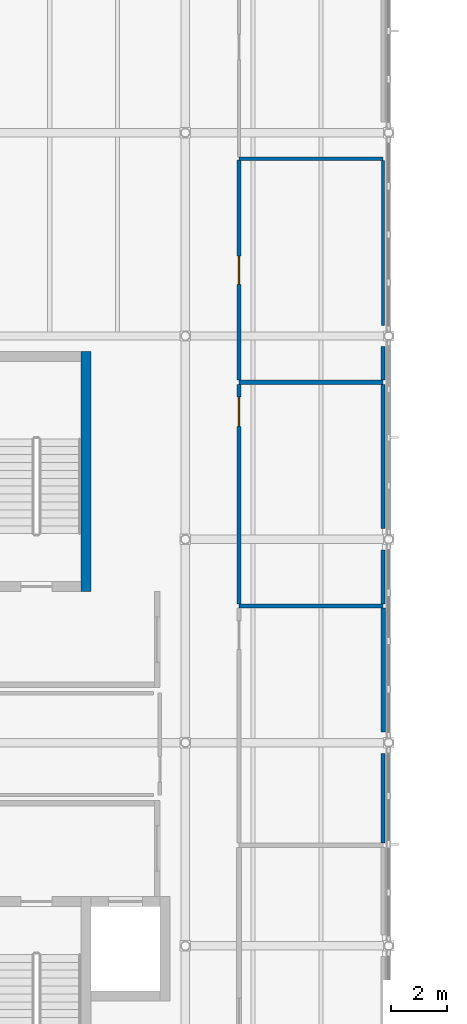
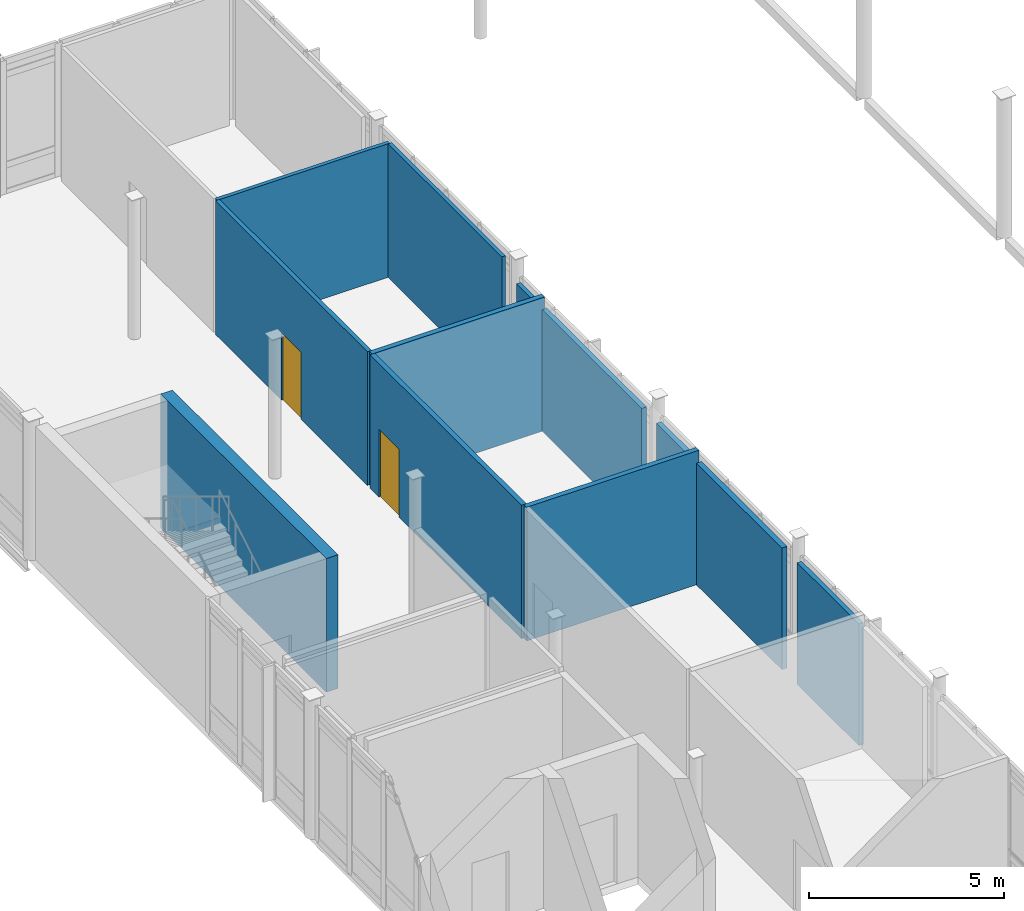
# One storey, part 58 of 76: 12 walls, 2 doors, 2 openings.
"""IFC4 building model written with IfcOpenShell, lengths in metres."""

from ifc_helpers import new_model, si_unit, direction, frame, frame_2d, origin, place, context, subcontext, project, spatial, rectangle, extrude, material, layer, layer_set, type_object, element, fill, save


model = new_model("IFC4")

# Units and contexts
model_context = context("Model", 3, precision=1e-05, world=origin(), true_north=direction((0.0, 1.0)))
body_context = subcontext(model_context, "Body", "Model", "MODEL_VIEW")
ifc_project = project(units=[si_unit("LENGTHUNIT", "METRE"), si_unit("AREAUNIT", "SQUARE_METRE"), si_unit("VOLUMEUNIT", "CUBIC_METRE"), si_unit("PLANEANGLEUNIT", "RADIAN"), si_unit("MASSUNIT", "GRAM", prefix="KILO")], contexts=[model_context])

# Site, building, storey
site_placement = place(None, origin())
site = spatial("IfcSite", under=ifc_project, at=site_placement, CompositionType="ELEMENT")
building_placement = place(site_placement, origin())
building = spatial("IfcBuilding", under=site, at=building_placement, Name="Zarrinpeak Specialist Clinic", CompositionType="ELEMENT")
storey_placement = place(building_placement, frame((0.0, 0.0, 5.199951171875)))
storey = spatial("IfcBuildingStorey", under=building, at=storey_placement, Name="L01", CompositionType="ELEMENT", Elevation=5.199951171875)

# Walls
ifc_material_1 = material(Name="Concrete C40/50", Category="concrete")
ifc_layer_1 = layer(ifc_material_1, 0.35009765625)
ifc_layer_set_1 = layer_set([ifc_layer_1], Name="Concrete C40/50")
wall_type_1 = type_object("IfcWallType", Name="WL-CR350", PredefinedType="SHEAR", material=ifc_layer_set_1)
wall_1_placement = place(storey_placement, frame((97.27490234375, 48.550048828125, 0.0), z_axis=(0.0, 0.0, 1.0), x_axis=(0.0, 1.0, 0.0)))
element("IfcWall", 1, at=wall_1_placement, inside=storey, type_object=wall_type_1, Name="L01 Core C06 Shear Wall STE", PredefinedType="SHEAR", context=body_context, shape_type="SweptSolid", body=[
    extrude(rectangle(XDim=8.5, YDim=0.35009765625, at=frame_2d((4.25, 0.0))), origin(), (0.0, 0.0, 1.0), 4.18505859375),
])
ifc_material_2 = material(Name="Sanitary Service Chase Plumbing Wall", Category="gypsum")
ifc_layer_2 = layer(ifc_material_2, 0.110107421875)
ifc_layer_set_2 = layer_set([ifc_layer_2], Name="Sanitary Service Chase Plumbing Wall")
wall_type_2 = type_object("IfcWallType", Name="WL-IW110", PredefinedType="PARTITIONING", material=ifc_layer_set_2)
wall_2_placement = place(storey_placement, frame((102.699951171875, 63.8798828125, 0.0), z_axis=(0.0, 0.0, 1.0), x_axis=(1.0, 0.0, 0.0)))
element("IfcWall", 2, at=wall_2_placement, inside=storey, type_object=wall_type_2, Name="L01 Accessible Gallery WC Partition", PredefinedType="PARTITIONING", context=body_context, shape_type="SweptSolid", body=[
    extrude(rectangle(XDim=5.10009765625, YDim=0.110107421875, at=frame_2d((2.550048828125, 0.0))), origin(), (0.0, 0.0, 1.0), 4.18505859375),
])
wall_3_placement = place(storey_placement, frame((107.800048828125, 57.97998046875, 0.0), z_axis=(0.0, 0.0, 1.0), x_axis=(0.0, 1.0, 0.0)))
element("IfcWall", 3, at=wall_3_placement, inside=storey, type_object=wall_type_2, Name="L01 Accessible Gallery WC Dividing Partition", PredefinedType="PARTITIONING", context=body_context, shape_type="SweptSolid", body=[
    extrude(rectangle(XDim=5.844970703125, YDim=0.110107421875, at=frame_2d((2.92236328125, 0.0))), origin(), (0.0, 0.0, 1.0), 4.18505859375),
])

# Wall, opening, door
ifc_material_3 = material(Name="Moisture-Resistant Wet-Room Partition", Category="gypsum")
ifc_layer_3 = layer(ifc_material_3, 0.125)
ifc_layer_set_3 = layer_set([ifc_layer_3], Name="Moisture-Resistant Wet-Room Partition")
wall_type_3 = type_object("IfcWallType", Name="WL-IW125W", PredefinedType="PARTITIONING", material=ifc_layer_set_3)
wall_4_placement = place(storey_placement, frame((102.699951171875, 56.034912109375, 0.0), z_axis=(0.0, 0.0, 1.0), x_axis=(0.0, 1.0, 0.0)))
wall_4 = element("IfcWall", 4, at=wall_4_placement, inside=storey, type_object=wall_type_3, Name="L01 Accessible Gallery WC Dividing Partition", PredefinedType="PARTITIONING", context=body_context, shape_type="SweptSolid", body=[
    extrude(rectangle(XDim=7.7900390625, YDim=0.125, at=frame_2d((3.89501953125, 0.0))), origin(), (0.0, 0.0, 1.0), 4.18505859375),
])
opening_1_placement = place(wall_4_placement, frame((3.39501953125, 0.0, 0.0)))
opening_1 = element("IfcOpeningElement", 5, at=opening_1_placement, cuts=wall_4, Name="Opening D-W02", PredefinedType="OPENING", context=body_context, shape_type="SweptSolid", body=[
    extrude(rectangle(XDim=1.0, YDim=2.10009765625, at=frame_2d((0.5, 1.050048828125))), frame((0.0, 0.072509765625, 0.0), z_axis=(0.0, -1.0, 0.0), x_axis=(1.0, 0.0, 0.0)), (0.0, 0.0, 1.0), 0.14501953125),
])
ifc_material_4 = material(Name="Powder-Coated Galvanised Steel", Category="steel")
door_type_1 = type_object("IfcDoorType", Name="DR-AWC100", OperationType="SLIDING_TO_LEFT", PredefinedType="DOOR", material=ifc_material_4)
door_1_placement = place(opening_1_placement, origin())
door_1 = element("IfcDoor", 6, at=door_1_placement, inside=storey, type_object=door_type_1, Name="L01 Accessible Gallery WC Door", OperationType="SLIDING_TO_LEFT", OverallHeight=2.10009765625, OverallWidth=1.0, PredefinedType="DOOR", context=body_context, shape_type="SweptSolid", body=[
    extrude(rectangle(XDim=1.0, YDim=2.10009765625, at=frame_2d((0.5, 1.050048828125))), frame((0.0, 0.02490234375, 0.0), z_axis=(0.0, -1.0, 0.0), x_axis=(1.0, 0.0, 0.0)), (0.0, 0.0, 1.0), 0.050048828125),
])
fill(opening_1, door_1)

# Walls
wall_5_placement = place(storey_placement, frame((107.800048828125, 56.034912109375, 0.0), z_axis=(0.0, 0.0, 1.0), x_axis=(0.0, 1.0, 0.0)))
element("IfcWall", 7, at=wall_5_placement, inside=storey, type_object=wall_type_3, Name="L01 Accessible Gallery WC Dividing Partition", PredefinedType="PARTITIONING", context=body_context, shape_type="SweptSolid", body=[
    extrude(rectangle(XDim=1.18505859375, YDim=0.125, at=frame_2d((0.592529296875, 0.0))), origin(), (0.0, 0.0, 1.0), 3.81005859375),
])
ifc_material_5 = material(Name="Standard Drywall Partition", Category="gypsum")
ifc_layer_4 = layer(ifc_material_5, 0.135009765625)
ifc_layer_set_4 = layer_set([ifc_layer_4], Name="Standard Drywall Partition")
wall_type_4 = type_object("IfcWallType", Name="WL-IW135", PredefinedType="PARTITIONING", material=ifc_layer_set_4)
wall_6_placement = place(storey_placement, frame((107.800048828125, 39.64990234375, 0.0), z_axis=(0.0, 0.0, 1.0), x_axis=(0.0, 1.0, 0.0)))
element("IfcWall", 8, at=wall_6_placement, inside=storey, type_object=wall_type_4, Name="L01 Hand Splinting Therapy Studio Dividing Partition", PredefinedType="PARTITIONING", context=body_context, shape_type="SweptSolid", body=[
    extrude(rectangle(XDim=3.170166015625, YDim=0.135009765625, at=frame_2d((1.5849609375, 0.0))), origin(), (0.0, 0.0, 1.0), 3.81005859375),
])

# Wall, opening, door
ifc_material_6 = material(Name="Acoustic Consultation Stud Partition", Category="gypsum")
ifc_layer_5 = layer(ifc_material_6, 0.14208984375)
ifc_layer_set_5 = layer_set([ifc_layer_5], Name="Acoustic Consultation Stud Partition")
wall_type_5 = type_object("IfcWallType", Name="WL-IW142", PredefinedType="PARTITIONING", material=ifc_layer_set_5)
wall_7_placement = place(storey_placement, frame((102.699951171875, 48.114990234375, 0.0), z_axis=(0.0, 0.0, 1.0), x_axis=(0.0, 1.0, 0.0)))
wall_7 = element("IfcWall", 9, at=wall_7_placement, inside=storey, type_object=wall_type_5, Name="L01 Speech Swallowing Clinic Dividing Partition", PredefinedType="PARTITIONING", context=body_context, shape_type="SweptSolid", body=[
    extrude(rectangle(XDim=7.77001953125, YDim=0.14208984375, at=frame_2d((3.885009765625, 0.0))), origin(), (0.0, 0.0, 1.0), 4.18505859375),
])
opening_2_placement = place(wall_7_placement, frame((6.283935546875, 0.0, 0.0)))
opening_2 = element("IfcOpeningElement", 10, at=opening_2_placement, cuts=wall_7, Name="Opening DS-46", PredefinedType="OPENING", context=body_context, shape_type="SweptSolid", body=[
    extrude(rectangle(XDim=1.035888671875, YDim=2.1240234375, at=frame_2d((0.51806640625, 1.06201171875))), frame((0.0, 0.0810546875, 0.0), z_axis=(0.0, -1.0, 0.0), x_axis=(1.0, 0.0, 0.0)), (0.0, 0.0, 1.0), 0.162109375),
])
door_type_2 = type_object("IfcDoorType", Name="DR-SP46", OperationType="SINGLE_SWING_LEFT", PredefinedType="DOOR", material=ifc_material_4)
door_2_placement = place(opening_2_placement, origin())
door_2 = element("IfcDoor", 11, at=door_2_placement, inside=storey, type_object=door_type_2, Name="L01 Speech Swallowing Clinic Door", OperationType="SINGLE_SWING_LEFT", OverallHeight=2.1240234375, OverallWidth=1.035888671875, PredefinedType="DOOR", context=body_context, shape_type="SweptSolid", body=[
    extrude(rectangle(XDim=1.035888671875, YDim=2.1240234375, at=frame_2d((0.51806640625, 1.06201171875))), frame((0.0, 0.02490234375, 0.0), z_axis=(0.0, -1.0, 0.0), x_axis=(1.0, 0.0, 0.0)), (0.0, 0.0, 1.0), 0.050048828125),
])
fill(opening_2, door_2)

# Walls
wall_8_placement = place(storey_placement, frame((107.800048828125, 50.780029296875, 0.0), z_axis=(0.0, 0.0, 1.0), x_axis=(0.0, 1.0, 0.0)))
element("IfcWall", 12, at=wall_8_placement, inside=storey, type_object=wall_type_5, Name="L01 Speech Swallowing Clinic Dividing Partition", PredefinedType="PARTITIONING", context=body_context, shape_type="SweptSolid", body=[
    extrude(rectangle(XDim=5.10498046875, YDim=0.14208984375, at=frame_2d((2.552490234375, 0.0))), origin(), (0.0, 0.0, 1.0), 3.81005859375),
])
ifc_material_7 = material(Name="Insulated Clinical Gypsum Stud Partition", Category="gypsum")
ifc_layer_6 = layer(ifc_material_7, 0.14990234375)
ifc_layer_set_6 = layer_set([ifc_layer_6], Name="Insulated Clinical Gypsum Stud Partition")
wall_type_6 = type_object("IfcWallType", Name="WL-IW150", PredefinedType="PARTITIONING", material=ifc_layer_set_6)
for number, where, z_axis, x_axis, name in (
    (13, (102.699951171875, 48.0400390625, 0.0), (0.0, 0.0, 1.0), (1.0, 0.0, 0.0), "L01 Hand Splinting Therapy Studio Partition"),
    (14, (102.699951171875, 55.9599609375, 0.0), (0.0, 0.0, 1.0), (1.0, 0.0, 0.0), "L01 Speech Swallowing Clinic Partition"),
):
    element("IfcWall", number, at=place(storey_placement, frame(where, z_axis=z_axis, x_axis=x_axis)), inside=storey, type_object=wall_type_6, Name=name, PredefinedType="PARTITIONING", context=body_context, shape_type="SweptSolid", body=[
        extrude(rectangle(XDim=5.10009765625, YDim=0.14990234375, at=frame_2d((2.550048828125, 0.0))), origin(), (0.0, 0.0, 1.0), 4.18505859375),
    ])
wall_9_placement = place(storey_placement, frame((107.800048828125, 48.114990234375, 0.0), z_axis=(0.0, 0.0, 1.0), x_axis=(0.0, 1.0, 0.0)))
element("IfcWall", 15, at=wall_9_placement, inside=storey, type_object=wall_type_6, Name="L01 Speech Swallowing Clinic Dividing Partition", PredefinedType="PARTITIONING", context=body_context, shape_type="SweptSolid", body=[
    extrude(rectangle(XDim=1.905029296875, YDim=0.14990234375, at=frame_2d((0.95263671875, 0.0))), origin(), (0.0, 0.0, 1.0), 3.81005859375),
])
ifc_material_8 = material(Name="Acoustic Double Gypsum Stud Partition", Category="gypsum")
ifc_layer_7 = layer(ifc_material_8, 0.159912109375)
ifc_layer_set_7 = layer_set([ifc_layer_7], Name="Acoustic Double Gypsum Stud Partition")
wall_type_7 = type_object("IfcWallType", Name="WL-IW160", PredefinedType="PARTITIONING", material=ifc_layer_set_7)
wall_10_placement = place(storey_placement, frame((107.800048828125, 43.580078125, 0.0), z_axis=(0.0, 0.0, 1.0), x_axis=(0.0, 1.0, 0.0)))
element("IfcWall", 16, at=wall_10_placement, inside=storey, type_object=wall_type_7, Name="L01 Hand Splinting Therapy Studio Dividing Partition", PredefinedType="PARTITIONING", context=body_context, shape_type="SweptSolid", body=[
    extrude(rectangle(XDim=4.385009765625, YDim=0.159912109375, at=frame_2d((2.1923828125, 0.0))), origin(), (0.0, 0.0, 1.0), 3.81005859375),
])

save(model, "model.ifc")
